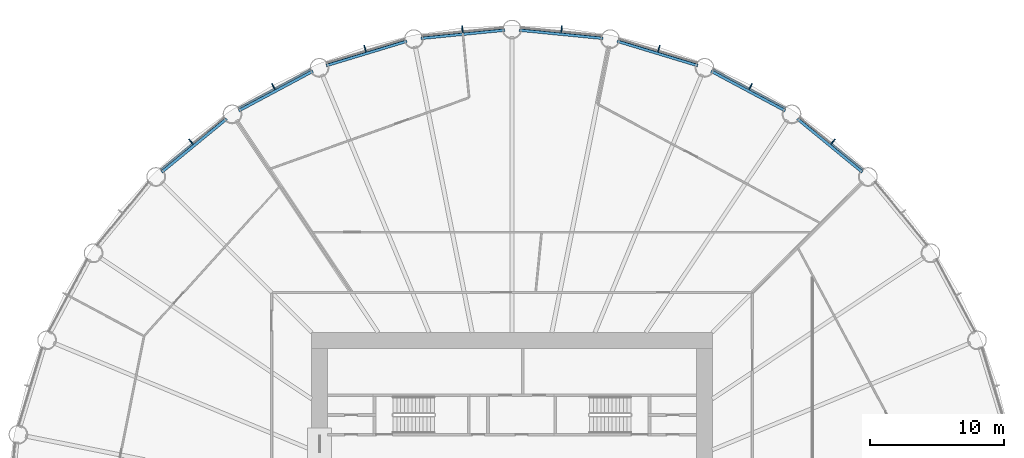
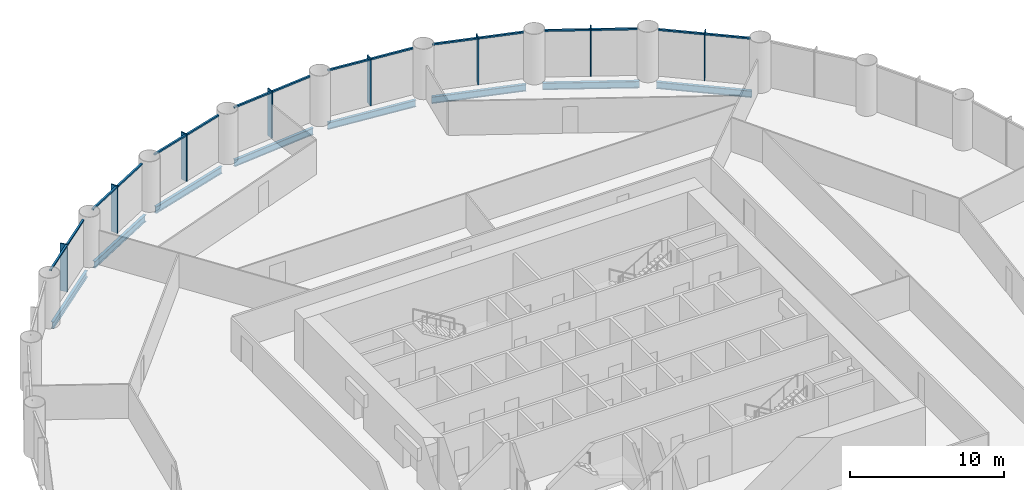
# One storey, part 7 of 15: 24 members, 8 beams, 8 elements without a shape of their own.
"""IFC4 building model written with IfcOpenShell, lengths in metres."""

from ifc_helpers import new_model, si_unit, direction, frame, origin, origin_2d, place, context, subcontext, project, spatial, rectangle, i_section, extrude, material, material_profile, profile_set, type_object, element, aggregate, save


model = new_model("IFC4")

# Units and contexts
model_context = context("Model", 3, precision=1e-05, world=origin(), true_north=direction((0.0, 1.0)))
body_context = subcontext(model_context, "Body", "Model", "MODEL_VIEW")
ifc_project = project(units=[si_unit("LENGTHUNIT", "METRE"), si_unit("AREAUNIT", "SQUARE_METRE"), si_unit("VOLUMEUNIT", "CUBIC_METRE"), si_unit("PLANEANGLEUNIT", "RADIAN"), si_unit("MASSUNIT", "GRAM", prefix="KILO")], contexts=[model_context])

# Site, building, storey
site_placement = place(None, origin())
site = spatial("IfcSite", under=ifc_project, at=site_placement, CompositionType="ELEMENT")
building_placement = place(site_placement, origin())
building = spatial("IfcBuilding", under=site, at=building_placement, Name="Corvane Civic Tower", CompositionType="ELEMENT")
storey_placement = place(building_placement, frame((0.0, 0.0, 41.0)))
storey = spatial("IfcBuildingStorey", under=building, at=storey_placement, Name="L08", CompositionType="ELEMENT", Elevation=41.0)

# Beams
ifc_material_1 = material(Name="Steel ASTM A992 Gr 50", Category="steel")
ifc_material_profile_1 = material_profile(ifc_material_1, i_section(OverallWidth=0.209228515625, OverallDepth=0.533447265625, WebThickness=0.01025390625, FlangeThickness=0.015625, at=origin_2d()), Name="W21X62")
ifc_profile_set_1 = profile_set([ifc_material_profile_1], Name="Steel ASTM A992 Gr 50")
beam_type = type_object("IfcBeamType", Name="EDGE BEAM W21X62", PredefinedType="BEAM", material=ifc_profile_set_1)
beam_1_placement = place(storey_placement, frame((0.54736328125, 37.64599609375, -0.566650390625), z_axis=(0.995186682089, -0.097997284622, 0.0), x_axis=(0.097997284622, 0.995186682089, 0.0)))
element("IfcBeam", 1, at=beam_1_placement, inside=storey, type_object=beam_type, Name="BM-L08-E01", PredefinedType="BEAM", context=body_context, shape_type="SweptSolid", body=[
    extrude(i_section(OverallWidth=0.209228515625, OverallDepth=0.533447265625, WebThickness=0.01025390625, FlangeThickness=0.015625, at=origin_2d()), origin(), (0.0, 0.0, 1.0), 6.29052734375),
])
for number, where, z_axis, x_axis, name in (
    (2, (7.88134765625, 36.81591796875, -0.566650390625), (0.956943740748, -0.290273452184, 0.0), (0.290273452184, 0.956943740748, 0.0), "BM-L08-E02"),
    (3, (14.912353515625, 34.571044921875, -0.566650390625), (0.881916367906, -0.471405897311, 0.0), (0.471405897311, 0.881916367906, 0.0), "BM-L08-E03"),
):
    element("IfcBeam", number, at=place(storey_placement, frame(where, z_axis=z_axis, x_axis=x_axis)), inside=storey, type_object=beam_type, Name=name, PredefinedType="BEAM", context=body_context, shape_type="SweptSolid", body=[
        extrude(i_section(OverallWidth=0.209228515625, OverallDepth=0.533447265625, WebThickness=0.01025390625, FlangeThickness=0.015625, at=origin_2d()), origin(), (0.0, 0.0, 1.0), 6.290283203125),
    ])
for number, where, z_axis, x_axis, name in (
    (4, (21.3701171875, 30.99755859375, -0.566650390625), (0.773015785286, -0.634386787141, 0.0), (0.634386787141, 0.773015785286, 0.0), "BM-L08-E04"),
    (5, (-26.23291015625, 27.0068359375, -0.566650390625), (0.773015785286, 0.634386787141, 0.0), (-0.634386787141, 0.773015785286, 0.0), "BM-L08-E29"),
):
    element("IfcBeam", number, at=place(storey_placement, frame(where, z_axis=z_axis, x_axis=x_axis)), inside=storey, type_object=beam_type, Name=name, PredefinedType="BEAM", context=body_context, shape_type="SweptSolid", body=[
        extrude(i_section(OverallWidth=0.209228515625, OverallDepth=0.533447265625, WebThickness=0.01025390625, FlangeThickness=0.015625, at=origin_2d()), origin(), (0.0, 0.0, 1.0), 6.290771484375),
    ])
for number, where, z_axis, x_axis, name in (
    (6, (-20.4599609375, 31.605712890625, -0.566650390625), (0.881916367906, 0.471405897311, 0.0), (-0.471405897311, 0.881916367906, 0.0), "BM-L08-E30"),
    (7, (-13.90087890625, 34.989990234375, -0.566650390625), (0.956943740748, 0.290273452184, 0.0), (-0.290273452184, 0.956943740748, 0.0), "BM-L08-E31"),
):
    element("IfcBeam", number, at=place(storey_placement, frame(where, z_axis=z_axis, x_axis=x_axis)), inside=storey, type_object=beam_type, Name=name, PredefinedType="BEAM", context=body_context, shape_type="SweptSolid", body=[
        extrude(i_section(OverallWidth=0.209228515625, OverallDepth=0.533447265625, WebThickness=0.01025390625, FlangeThickness=0.015625, at=origin_2d()), origin(), (0.0, 0.0, 1.0), 6.290283203125),
    ])
beam_2_placement = place(storey_placement, frame((-6.8076171875, 37.029541015625, -0.566650390625), z_axis=(0.995186682089, 0.097997284622, 0.0), x_axis=(-0.097997284622, 0.995186682089, 0.0)))
element("IfcBeam", 8, at=beam_2_placement, inside=storey, type_object=beam_type, Name="BM-L08-E32", PredefinedType="BEAM", context=body_context, shape_type="SweptSolid", body=[
    extrude(i_section(OverallWidth=0.209228515625, OverallDepth=0.533447265625, WebThickness=0.01025390625, FlangeThickness=0.015625, at=origin_2d()), origin(), (0.0, 0.0, 1.0), 6.29052734375),
])

# Curtain wall, members
ifc_material_2 = material(Name="Anodised aluminium bronze", Category="aluminium")
curtain_wall_type = type_object("IfcCurtainWallType", Name="TOWER CW-T1 STICK CURTAIN WALL", PredefinedType="NOTDEFINED", material=ifc_material_2)
curtain_wall_1_placement = place(storey_placement, origin())
curtain_wall_1 = element("IfcCurtainWall", 9, at=curtain_wall_1_placement, inside=storey, type_object=curtain_wall_type, Name="Curtain wall CW-T1 L08 bay 01", PredefinedType="NOTDEFINED")
ifc_material_3 = material(Name="Anodised aluminium bronze", Category="aluminium")
ifc_material_profile_2 = material_profile(ifc_material_3, rectangle(XDim=0.139892578125, YDim=0.1201171875, at=origin_2d()), Name="TOWER CW-T1 TRANSOM 140x120")
ifc_profile_set_2 = profile_set([ifc_material_profile_2], Name="Anodised aluminium bronze")
member_type_1 = type_object("IfcMemberType", Name="TOWER CW-T1 TRANSOM 140x120", PredefinedType="USERDEFINED", material=ifc_profile_set_2)
member_1_placement = place(storey_placement, frame((0.6611328125, 37.814697265625, 3.68994140625), z_axis=(0.995191836722, -0.097944923917, 0.0), x_axis=(0.097944923917, 0.995191836722, 0.0)))
member_1 = element("IfcMember", 10, at=member_1_placement, type_object=member_type_1, Name="Transom CW-T1 L08 01.1", ObjectType="TRANSOM", PredefinedType="USERDEFINED", context=body_context, shape_type="SweptSolid", body=[
    extrude(rectangle(XDim=0.139892578125, YDim=0.1201171875, at=origin_2d()), origin(), (0.0, 0.0, 1.0), 3.008544921875),
])
member_2_placement = place(storey_placement, frame((3.73486328125, 37.511962890625, 3.68994140625), z_axis=(0.995191836722, -0.097944923917, 0.0), x_axis=(0.097944923917, 0.995191836722, 0.0)))
member_2 = element("IfcMember", 11, at=member_2_placement, type_object=member_type_1, Name="Transom CW-T1 L08 01.2", ObjectType="TRANSOM", PredefinedType="USERDEFINED", context=body_context, shape_type="SweptSolid", body=[
    extrude(rectangle(XDim=0.139892578125, YDim=0.1201171875, at=origin_2d()), origin(), (0.0, 0.0, 1.0), 3.008544921875),
])

curtain_wall_2_placement = place(storey_placement, origin())
curtain_wall_2 = element("IfcCurtainWall", 12, at=curtain_wall_2_placement, inside=storey, type_object=curtain_wall_type, Name="Curtain wall CW-T1 L08 bay 02", PredefinedType="NOTDEFINED")
member_3_placement = place(storey_placement, frame((8.02587890625, 36.959228515625, 3.68994140625), z_axis=(0.956941780555, -0.290279914268, 0.0), x_axis=(0.290279914268, 0.956941780555, 0.0)))
member_3 = element("IfcMember", 13, at=member_3_placement, type_object=member_type_1, Name="Transom CW-T1 L08 02.1", ObjectType="TRANSOM", PredefinedType="USERDEFINED", context=body_context, shape_type="SweptSolid", body=[
    extrude(rectangle(XDim=0.139892578125, YDim=0.1201171875, at=origin_2d()), origin(), (0.0, 0.0, 1.0), 3.008544921875),
])
member_4_placement = place(storey_placement, frame((10.9814453125, 36.062744140625, 3.68994140625), z_axis=(0.956941780555, -0.290279914268, 0.0), x_axis=(0.290279914268, 0.956941780555, 0.0)))
member_4 = element("IfcMember", 14, at=member_4_placement, type_object=member_type_1, Name="Transom CW-T1 L08 02.2", ObjectType="TRANSOM", PredefinedType="USERDEFINED", context=body_context, shape_type="SweptSolid", body=[
    extrude(rectangle(XDim=0.139892578125, YDim=0.1201171875, at=origin_2d()), origin(), (0.0, 0.0, 1.0), 3.008544921875),
])

curtain_wall_3_placement = place(storey_placement, origin())
curtain_wall_3 = element("IfcCurtainWall", 15, at=curtain_wall_3_placement, inside=storey, type_object=curtain_wall_type, Name="Curtain wall CW-T1 L08 bay 03", PredefinedType="NOTDEFINED")
member_5_placement = place(storey_placement, frame((15.08203125, 34.683349609375, 3.68994140625), z_axis=(0.881923525532, -0.471392506424, 0.0), x_axis=(0.471392506424, 0.881923525532, 0.0)))
member_5 = element("IfcMember", 16, at=member_5_placement, type_object=member_type_1, Name="Transom CW-T1 L08 03.1", ObjectType="TRANSOM", PredefinedType="USERDEFINED", context=body_context, shape_type="SweptSolid", body=[
    extrude(rectangle(XDim=0.139892578125, YDim=0.1201171875, at=origin_2d()), origin(), (0.0, 0.0, 1.0), 3.008544921875),
])
member_6_placement = place(storey_placement, frame((17.805908203125, 33.2275390625, 3.68994140625), z_axis=(0.881923525532, -0.471392506424, 0.0), x_axis=(0.471392506424, 0.881923525532, 0.0)))
member_6 = element("IfcMember", 17, at=member_6_placement, type_object=member_type_1, Name="Transom CW-T1 L08 03.2", ObjectType="TRANSOM", PredefinedType="USERDEFINED", context=body_context, shape_type="SweptSolid", body=[
    extrude(rectangle(XDim=0.139892578125, YDim=0.1201171875, at=origin_2d()), origin(), (0.0, 0.0, 1.0), 3.008544921875),
])

curtain_wall_4_placement = place(storey_placement, origin())
curtain_wall_4 = element("IfcCurtainWall", 18, at=curtain_wall_4_placement, inside=storey, type_object=curtain_wall_type, Name="Curtain wall CW-T1 L08 bay 04", PredefinedType="NOTDEFINED")
member_7_placement = place(storey_placement, frame((21.55859375, 31.074462890625, 3.68994140625), z_axis=(0.773041738279, -0.634355161466, 0.0), x_axis=(0.634355161466, 0.773041738279, 0.0)))
member_7 = element("IfcMember", 19, at=member_7_placement, type_object=member_type_1, Name="Transom CW-T1 L08 04.1", ObjectType="TRANSOM", PredefinedType="USERDEFINED", context=body_context, shape_type="SweptSolid", body=[
    extrude(rectangle(XDim=0.139892578125, YDim=0.1201171875, at=origin_2d()), origin(), (0.0, 0.0, 1.0), 3.008544921875),
])
member_8_placement = place(storey_placement, frame((23.946044921875, 29.115234375, 3.68994140625), z_axis=(0.773001943873, -0.634403652865, 0.0), x_axis=(0.634403652865, 0.773001943873, 0.0)))
member_8 = element("IfcMember", 20, at=member_8_placement, type_object=member_type_1, Name="Transom CW-T1 L08 04.2", ObjectType="TRANSOM", PredefinedType="USERDEFINED", context=body_context, shape_type="SweptSolid", body=[
    extrude(rectangle(XDim=0.139892578125, YDim=0.1201171875, at=origin_2d()), origin(), (0.0, 0.0, 1.0), 3.008544921875),
])

curtain_wall_5_placement = place(storey_placement, origin())
curtain_wall_5 = element("IfcCurtainWall", 21, at=curtain_wall_5_placement, inside=storey, type_object=curtain_wall_type, Name="Curtain wall CW-T1 L08 bay 29", PredefinedType="NOTDEFINED")
member_9_placement = place(storey_placement, frame((-26.271728515625, 27.20654296875, 3.68994140625), z_axis=(0.773001943873, 0.634403652865, 0.0), x_axis=(-0.634403652865, 0.773001943873, 0.0)))
member_9 = element("IfcMember", 22, at=member_9_placement, type_object=member_type_1, Name="Transom CW-T1 L08 29.1", ObjectType="TRANSOM", PredefinedType="USERDEFINED", context=body_context, shape_type="SweptSolid", body=[
    extrude(rectangle(XDim=0.139892578125, YDim=0.1201171875, at=origin_2d()), origin(), (0.0, 0.0, 1.0), 3.008544921875),
])
member_10_placement = place(storey_placement, frame((-23.88427734375, 29.166015625, 3.68994140625), z_axis=(0.773041738279, 0.634355161466, 0.0), x_axis=(-0.634355161466, 0.773041738279, 0.0)))
member_10 = element("IfcMember", 23, at=member_10_placement, type_object=member_type_1, Name="Transom CW-T1 L08 29.2", ObjectType="TRANSOM", PredefinedType="USERDEFINED", context=body_context, shape_type="SweptSolid", body=[
    extrude(rectangle(XDim=0.139892578125, YDim=0.1201171875, at=origin_2d()), origin(), (0.0, 0.0, 1.0), 3.008544921875),
])

curtain_wall_6_placement = place(storey_placement, origin())
curtain_wall_6 = element("IfcCurtainWall", 24, at=curtain_wall_6_placement, inside=storey, type_object=curtain_wall_type, Name="Curtain wall CW-T1 L08 bay 30", PredefinedType="NOTDEFINED")
member_11_placement = place(storey_placement, frame((-20.459228515625, 31.809326171875, 3.68994140625), z_axis=(0.881923525532, 0.471392506424, 0.0), x_axis=(-0.471392506424, 0.881923525532, 0.0)))
member_11 = element("IfcMember", 25, at=member_11_placement, type_object=member_type_1, Name="Transom CW-T1 L08 30.1", ObjectType="TRANSOM", PredefinedType="USERDEFINED", context=body_context, shape_type="SweptSolid", body=[
    extrude(rectangle(XDim=0.139892578125, YDim=0.1201171875, at=origin_2d()), origin(), (0.0, 0.0, 1.0), 3.008544921875),
])
member_12_placement = place(storey_placement, frame((-17.7353515625, 33.26513671875, 3.68994140625), z_axis=(0.881923525532, 0.471392506424, 0.0), x_axis=(-0.471392506424, 0.881923525532, 0.0)))
member_12 = element("IfcMember", 26, at=member_12_placement, type_object=member_type_1, Name="Transom CW-T1 L08 30.2", ObjectType="TRANSOM", PredefinedType="USERDEFINED", context=body_context, shape_type="SweptSolid", body=[
    extrude(rectangle(XDim=0.139892578125, YDim=0.1201171875, at=origin_2d()), origin(), (0.0, 0.0, 1.0), 3.008544921875),
])

curtain_wall_7_placement = place(storey_placement, origin())
curtain_wall_7 = element("IfcCurtainWall", 27, at=curtain_wall_7_placement, inside=storey, type_object=curtain_wall_type, Name="Curtain wall CW-T1 L08 bay 31", PredefinedType="NOTDEFINED")
member_13_placement = place(storey_placement, frame((-13.8603515625, 35.189453125, 3.68994140625), z_axis=(0.956941780555, 0.290279914268, 0.0), x_axis=(-0.290279914268, 0.956941780555, 0.0)))
member_13 = element("IfcMember", 28, at=member_13_placement, type_object=member_type_1, Name="Transom CW-T1 L08 31.1", ObjectType="TRANSOM", PredefinedType="USERDEFINED", context=body_context, shape_type="SweptSolid", body=[
    extrude(rectangle(XDim=0.139892578125, YDim=0.1201171875, at=origin_2d()), origin(), (0.0, 0.0, 1.0), 3.008544921875),
])
member_14_placement = place(storey_placement, frame((-10.90478515625, 36.0859375, 3.68994140625), z_axis=(0.956941780555, 0.290279914268, 0.0), x_axis=(-0.290279914268, 0.956941780555, 0.0)))
member_14 = element("IfcMember", 29, at=member_14_placement, type_object=member_type_1, Name="Transom CW-T1 L08 31.2", ObjectType="TRANSOM", PredefinedType="USERDEFINED", context=body_context, shape_type="SweptSolid", body=[
    extrude(rectangle(XDim=0.139892578125, YDim=0.1201171875, at=origin_2d()), origin(), (0.0, 0.0, 1.0), 3.008544921875),
])

curtain_wall_8_placement = place(storey_placement, origin())
curtain_wall_8 = element("IfcCurtainWall", 30, at=curtain_wall_8_placement, inside=storey, type_object=curtain_wall_type, Name="Curtain wall CW-T1 L08 bay 32", PredefinedType="NOTDEFINED")
member_15_placement = place(storey_placement, frame((-6.72900390625, 37.21728515625, 3.68994140625), z_axis=(0.995191836722, 0.097944923917, 0.0), x_axis=(-0.097944923917, 0.995191836722, 0.0)))
member_15 = element("IfcMember", 31, at=member_15_placement, type_object=member_type_1, Name="Transom CW-T1 L08 32.1", ObjectType="TRANSOM", PredefinedType="USERDEFINED", context=body_context, shape_type="SweptSolid", body=[
    extrude(rectangle(XDim=0.139892578125, YDim=0.1201171875, at=origin_2d()), origin(), (0.0, 0.0, 1.0), 3.008544921875),
])
member_16_placement = place(storey_placement, frame((-3.6552734375, 37.52001953125, 3.68994140625), z_axis=(0.995191836722, 0.097944923917, 0.0), x_axis=(-0.097944923917, 0.995191836722, 0.0)))
member_16 = element("IfcMember", 32, at=member_16_placement, type_object=member_type_1, Name="Transom CW-T1 L08 32.2", ObjectType="TRANSOM", PredefinedType="USERDEFINED", context=body_context, shape_type="SweptSolid", body=[
    extrude(rectangle(XDim=0.139892578125, YDim=0.1201171875, at=origin_2d()), origin(), (0.0, 0.0, 1.0), 3.008544921875),
])

# Member
ifc_material_4 = material(Name="Anodised aluminium bronze", Category="aluminium")
ifc_material_profile_3 = material_profile(ifc_material_4, rectangle(XDim=0.080078125, YDim=0.5, at=origin_2d()), Name="TOWER FIN MULLION 80x500 BRONZE")
ifc_profile_set_3 = profile_set([ifc_material_profile_3], Name="Anodised aluminium bronze")
member_type_2 = type_object("IfcMemberType", Name="TOWER FIN MULLION 80x500 BRONZE", PredefinedType="MULLION", material=ifc_profile_set_3)
member_17_placement = place(storey_placement, frame((3.714599609375, 37.715087890625, 0.0), z_axis=(0.0, 0.0, 1.0), x_axis=(0.995185800248, -0.098006239521, 0.0)))
member_17 = element("IfcMember", 33, at=member_17_placement, type_object=member_type_2, Name="Fin mullion 01 L08", PredefinedType="MULLION", context=body_context, shape_type="SweptSolid", body=[
    extrude(rectangle(XDim=0.080078125, YDim=0.5, at=origin_2d()), origin(), (0.0, 0.0, 1.0), 3.75),
])

aggregate(curtain_wall_1, [member_17, member_1, member_2])

member_18_placement = place(storey_placement, frame((11.001220703125, 36.265625, 0.0), z_axis=(0.0, 0.0, 1.0), x_axis=(0.956942240606, -0.290278397654, 0.0)))
member_18 = element("IfcMember", 34, at=member_18_placement, type_object=member_type_2, Name="Fin mullion 02 L08", PredefinedType="MULLION", context=body_context, shape_type="SweptSolid", body=[
    extrude(rectangle(XDim=0.080078125, YDim=0.5, at=origin_2d()), origin(), (0.0, 0.0, 1.0), 3.75),
])

aggregate(curtain_wall_2, [member_18, member_3, member_4])

member_19_placement = place(storey_placement, frame((17.86474609375, 33.422607421875, 0.0), z_axis=(0.0, 0.0, 1.0), x_axis=(0.881917528864, -0.471403725359, 0.0)))
member_19 = element("IfcMember", 35, at=member_19_placement, type_object=member_type_2, Name="Fin mullion 03 L08", PredefinedType="MULLION", context=body_context, shape_type="SweptSolid", body=[
    extrude(rectangle(XDim=0.080078125, YDim=0.5, at=origin_2d()), origin(), (0.0, 0.0, 1.0), 3.75),
])

aggregate(curtain_wall_3, [member_19, member_5, member_6])

member_20_placement = place(storey_placement, frame((24.0419921875, 29.295166015625, 0.0), z_axis=(0.0, 0.0, 1.0), x_axis=(0.773007224463, -0.634397218569, 0.0)))
member_20 = element("IfcMember", 36, at=member_20_placement, type_object=member_type_2, Name="Fin mullion 04 L08", PredefinedType="MULLION", context=body_context, shape_type="SweptSolid", body=[
    extrude(rectangle(XDim=0.080078125, YDim=0.5, at=origin_2d()), origin(), (0.0, 0.0, 1.0), 3.75),
])

aggregate(curtain_wall_4, [member_20, member_7, member_8])

member_21_placement = place(storey_placement, frame((-24.0419921875, 29.295166015625, 0.0), z_axis=(0.0, 0.0, 1.0), x_axis=(0.773007224463, 0.634397218569, 0.0)))
member_21 = element("IfcMember", 37, at=member_21_placement, type_object=member_type_2, Name="Fin mullion 29 L08", PredefinedType="MULLION", context=body_context, shape_type="SweptSolid", body=[
    extrude(rectangle(XDim=0.080078125, YDim=0.5, at=origin_2d()), origin(), (0.0, 0.0, 1.0), 3.75),
])

aggregate(curtain_wall_5, [member_21, member_9, member_10])

member_22_placement = place(storey_placement, frame((-17.86474609375, 33.422607421875, 0.0), z_axis=(0.0, 0.0, 1.0), x_axis=(0.881917528864, 0.471403725359, 0.0)))
member_22 = element("IfcMember", 38, at=member_22_placement, type_object=member_type_2, Name="Fin mullion 30 L08", PredefinedType="MULLION", context=body_context, shape_type="SweptSolid", body=[
    extrude(rectangle(XDim=0.080078125, YDim=0.5, at=origin_2d()), origin(), (0.0, 0.0, 1.0), 3.75),
])

aggregate(curtain_wall_6, [member_22, member_11, member_12])

member_23_placement = place(storey_placement, frame((-11.001220703125, 36.265625, 0.0), z_axis=(0.0, 0.0, 1.0), x_axis=(0.956942240606, 0.290278397654, 0.0)))
member_23 = element("IfcMember", 39, at=member_23_placement, type_object=member_type_2, Name="Fin mullion 31 L08", PredefinedType="MULLION", context=body_context, shape_type="SweptSolid", body=[
    extrude(rectangle(XDim=0.080078125, YDim=0.5, at=origin_2d()), origin(), (0.0, 0.0, 1.0), 3.75),
])

aggregate(curtain_wall_7, [member_23, member_13, member_14])

member_24_placement = place(storey_placement, frame((-3.714599609375, 37.715087890625, 0.0), z_axis=(0.0, 0.0, 1.0), x_axis=(0.995185800248, 0.098006239521, 0.0)))
member_24 = element("IfcMember", 40, at=member_24_placement, type_object=member_type_2, Name="Fin mullion 32 L08", PredefinedType="MULLION", context=body_context, shape_type="SweptSolid", body=[
    extrude(rectangle(XDim=0.080078125, YDim=0.5, at=origin_2d()), origin(), (0.0, 0.0, 1.0), 3.75),
])

aggregate(curtain_wall_8, [member_24, member_15, member_16])

save(model, "model.ifc")
